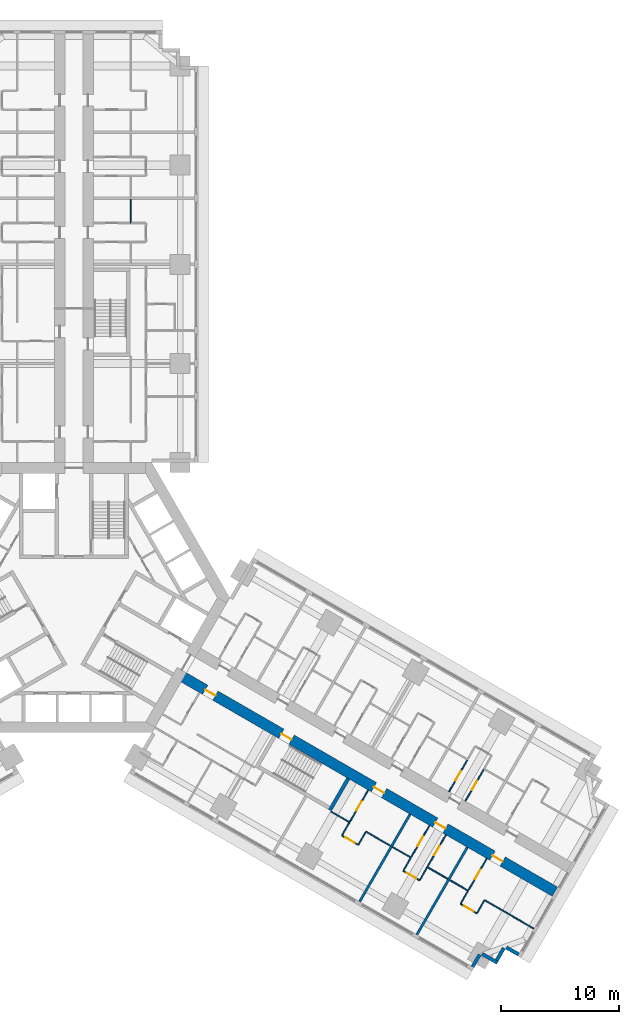
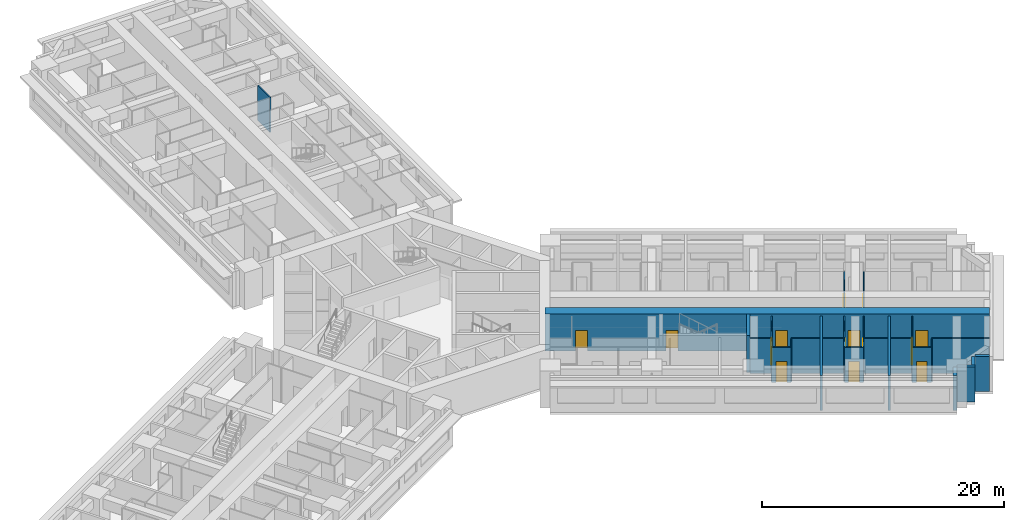
# One storey, part 11 of 16: 30 walls, 14 doors, 14 openings.
"""IFC4 building model written with IfcOpenShell, lengths in metres."""

from ifc_helpers import new_model, si_unit, direction, frame, frame_2d, origin, place, context, subcontext, project, spatial, rectangle, extrude, material, layer, layer_set, type_object, element, fill, save


model = new_model("IFC4")

# Units and contexts
model_context = context("Model", 3, precision=1e-05, world=origin(), true_north=direction((0.0, 1.0)))
body_context = subcontext(model_context, "Body", "Model", "MODEL_VIEW")
ifc_project = project(units=[si_unit("LENGTHUNIT", "METRE"), si_unit("AREAUNIT", "SQUARE_METRE"), si_unit("VOLUMEUNIT", "CUBIC_METRE"), si_unit("PLANEANGLEUNIT", "RADIAN"), si_unit("MASSUNIT", "GRAM", prefix="KILO")], contexts=[model_context])

# Site, building, storey
site_placement = place(None, origin())
site = spatial("IfcSite", under=ifc_project, at=site_placement, CompositionType="ELEMENT")
building_placement = place(site_placement, origin())
building = spatial("IfcBuilding", under=site, at=building_placement, Name="Impinga Residences", CompositionType="ELEMENT")
storey_placement = place(building_placement, frame((0.0, 0.0, 41.0)))
storey = spatial("IfcBuildingStorey", under=building, at=storey_placement, Name="L09", CompositionType="ELEMENT", Elevation=41.0)

# Wall, openings, doors
ifc_material_1 = material(Name="Concrete C70/85", Category="concrete")
ifc_layer_1 = layer(ifc_material_1, 0.89990234375)
ifc_layer_set_1 = layer_set([ifc_layer_1], Name="Concrete C70/85")
wall_type_1 = type_object("IfcWallType", Name="BW1 corridor buttress wall, L05 to L22 900", PredefinedType="SHEAR", material=ifc_layer_set_1)
wall_1_placement = place(storey_placement, frame((8.910400390625, -6.530029296875, 0.0), z_axis=(0.0, 0.0, 1.0), x_axis=(0.866025284237, -0.500000207062, 0.0)))
wall_1 = element("IfcWall", 1, at=wall_1_placement, inside=storey, type_object=wall_type_1, Name="Corridor wall BW1 ED L09", PredefinedType="SHEAR", context=body_context, shape_type="SweptSolid", body=[
    extrude(rectangle(XDim=36.75, YDim=0.89990234375, at=frame_2d((18.375, 0.0))), origin(), (0.0, 0.0, 1.0), 3.75),
])
opening_1_placement = place(wall_1_placement, frame((10.0, 0.0, 0.0)))
opening_1 = element("IfcOpeningElement", 2, at=opening_1_placement, cuts=wall_1, Name="Opening D5", PredefinedType="OPENING", context=body_context, shape_type="SweptSolid", body=[
    extrude(rectangle(XDim=1.0, YDim=2.10009765625, at=frame_2d((0.5, 1.050048828125))), frame((0.0, 0.4599609375, 0.0), z_axis=(0.0, -1.0, 0.0), x_axis=(1.0, 0.0, 0.0)), (0.0, 0.0, 1.0), 0.919921875),
])
opening_2_placement = place(wall_1_placement, frame((2.550048828125, 0.0, 0.0)))
opening_2 = element("IfcOpeningElement", 3, at=opening_2_placement, cuts=wall_1, Name="Opening D1", PredefinedType="OPENING", context=body_context, shape_type="SweptSolid", body=[
    extrude(rectangle(XDim=1.0, YDim=2.10009765625, at=frame_2d((0.5, 1.050048828125))), frame((0.0, 0.4599609375, 0.0), z_axis=(0.0, -1.0, 0.0), x_axis=(1.0, 0.0, 0.0)), (0.0, 0.0, 1.0), 0.919921875),
])
opening_3_placement = place(wall_1_placement, frame((19.050048828125, 0.0, 0.0)))
opening_3 = element("IfcOpeningElement", 4, at=opening_3_placement, cuts=wall_1, Name="Opening D1", PredefinedType="OPENING", context=body_context, shape_type="SweptSolid", body=[
    extrude(rectangle(XDim=1.0, YDim=2.10009765625, at=frame_2d((0.5, 1.050048828125))), frame((0.0, 0.4599609375, 0.0), z_axis=(0.0, -1.0, 0.0), x_axis=(1.0, 0.0, 0.0)), (0.0, 0.0, 1.0), 0.919921875),
])
opening_4_placement = place(wall_1_placement, frame((25.050048828125, 0.0, 0.0)))
opening_4 = element("IfcOpeningElement", 5, at=opening_4_placement, cuts=wall_1, Name="Opening D1", PredefinedType="OPENING", context=body_context, shape_type="SweptSolid", body=[
    extrude(rectangle(XDim=1.0, YDim=2.10009765625, at=frame_2d((0.5, 1.050048828125))), frame((0.0, 0.4599609375, 0.0), z_axis=(0.0, -1.0, 0.0), x_axis=(1.0, 0.0, 0.0)), (0.0, 0.0, 1.0), 0.919921875),
])
opening_5_placement = place(wall_1_placement, frame((30.64990234375, 0.0, 0.0)))
opening_5 = element("IfcOpeningElement", 6, at=opening_5_placement, cuts=wall_1, Name="Opening D1", PredefinedType="OPENING", context=body_context, shape_type="SweptSolid", body=[
    extrude(rectangle(XDim=1.0, YDim=2.10009765625, at=frame_2d((0.5, 1.050048828125))), frame((0.0, 0.4599609375, 0.0), z_axis=(0.0, -1.0, 0.0), x_axis=(1.0, 0.0, 0.0)), (0.0, 0.0, 1.0), 0.919921875),
])
ifc_material_2 = material(Name="Timber door set", Category="wood")
door_type_1 = type_object("IfcDoorType", Name="D1 apartment entrance door 1000x2100", OperationType="SINGLE_SWING_LEFT", PredefinedType="DOOR", material=ifc_material_2)
door_1_placement = place(opening_2_placement, origin())
door_1 = element("IfcDoor", 7, at=door_1_placement, inside=storey, type_object=door_type_1, Name="Apartment L09-EF1 entrance", OperationType="SINGLE_SWING_LEFT", OverallHeight=2.10009765625, OverallWidth=1.0, PredefinedType="DOOR", context=body_context, shape_type="SweptSolid", body=[
    extrude(rectangle(XDim=1.0, YDim=2.10009765625, at=frame_2d((0.5, 1.050048828125))), frame((0.0, 0.02490234375, 0.0), z_axis=(0.0, -1.0, 0.0), x_axis=(1.0, 0.0, 0.0)), (0.0, 0.0, 1.0), 0.050048828125),
])
fill(opening_2, door_1)
door_2_placement = place(opening_3_placement, origin())
door_2 = element("IfcDoor", 8, at=door_2_placement, inside=storey, type_object=door_type_1, Name="Apartment L09-EF2 entrance", OperationType="SINGLE_SWING_RIGHT", OverallHeight=2.10009765625, OverallWidth=1.0, PredefinedType="DOOR", context=body_context, shape_type="SweptSolid", body=[
    extrude(rectangle(XDim=1.0, YDim=2.10009765625, at=frame_2d((0.5, 1.050048828125))), frame((0.0, 0.02490234375, 0.0), z_axis=(0.0, -1.0, 0.0), x_axis=(1.0, 0.0, 0.0)), (0.0, 0.0, 1.0), 0.050048828125),
])
fill(opening_3, door_2)
door_3_placement = place(opening_4_placement, origin())
door_3 = element("IfcDoor", 9, at=door_3_placement, inside=storey, type_object=door_type_1, Name="Apartment L09-EF3 entrance", OperationType="SINGLE_SWING_RIGHT", OverallHeight=2.10009765625, OverallWidth=1.0, PredefinedType="DOOR", context=body_context, shape_type="SweptSolid", body=[
    extrude(rectangle(XDim=1.0, YDim=2.10009765625, at=frame_2d((0.5, 1.050048828125))), frame((0.0, 0.02490234375, 0.0), z_axis=(0.0, -1.0, 0.0), x_axis=(1.0, 0.0, 0.0)), (0.0, 0.0, 1.0), 0.050048828125),
])
fill(opening_4, door_3)
door_4_placement = place(opening_5_placement, origin())
door_4 = element("IfcDoor", 10, at=door_4_placement, inside=storey, type_object=door_type_1, Name="Apartment L09-EF4 entrance", OperationType="SINGLE_SWING_RIGHT", OverallHeight=2.10009765625, OverallWidth=1.0, PredefinedType="DOOR", context=body_context, shape_type="SweptSolid", body=[
    extrude(rectangle(XDim=1.0, YDim=2.10009765625, at=frame_2d((0.5, 1.050048828125))), frame((0.0, 0.02490234375, 0.0), z_axis=(0.0, -1.0, 0.0), x_axis=(1.0, 0.0, 0.0)), (0.0, 0.0, 1.0), 0.050048828125),
])
fill(opening_5, door_4)
door_type_2 = type_object("IfcDoorType", Name="D5 stair door 1000x2100", OperationType="SINGLE_SWING_LEFT", PredefinedType="DOOR", material=ifc_material_2)
door_5_placement = place(opening_1_placement, origin())
door_5 = element("IfcDoor", 11, at=door_5_placement, inside=storey, type_object=door_type_2, Name="Wing stair door E", OperationType="SINGLE_SWING_LEFT", OverallHeight=2.10009765625, OverallWidth=1.0, PredefinedType="DOOR", context=body_context, shape_type="SweptSolid", body=[
    extrude(rectangle(XDim=1.0, YDim=2.10009765625, at=frame_2d((0.5, 1.050048828125))), frame((0.0, 0.02490234375, 0.0), z_axis=(0.0, -1.0, 0.0), x_axis=(1.0, 0.0, 0.0)), (0.0, 0.0, 1.0), 0.050048828125),
])
fill(opening_1, door_5)

# Walls
ifc_material_3 = material(Name="Terracotta rainscreen on blockwork", Category="masonry")
ifc_layer_2 = layer(ifc_material_3, 0.300048828125)
ifc_layer_set_2 = layer_set([ifc_layer_2], Name="EW1 external wall, terracotta rainscreen on blockwork 300")
wall_type_2 = type_object("IfcWallType", Name="EW1 external wall, terracotta rainscreen on blockwork 300", PredefinedType="SOLIDWALL", material=ifc_layer_set_2)
wall_2_placement = place(storey_placement, frame((37.66162109375, -30.23095703125, 0.0), z_axis=(0.0, 0.0, 1.0), x_axis=(-0.866059708757, 0.499940577336, 0.0)))
element("IfcWall", 12, at=wall_2_placement, inside=storey, type_object=wall_type_2, Name="External wall EW1 L09", PredefinedType="SOLIDWALL", context=body_context, shape_type="SweptSolid", body=[
    extrude(rectangle(XDim=1.195068359375, YDim=0.300048828125, at=frame_2d((0.59765625, 0.0))), origin(), (0.0, 0.0, 1.0), 3.530029296875),
])
wall_3_placement = place(storey_placement, frame((36.41748046875, -29.68603515625, 0.0), z_axis=(0.0, 0.0, 1.0), x_axis=(-0.499969057507, -0.866043267704, 0.0)))
element("IfcWall", 13, at=wall_3_placement, inside=storey, type_object=wall_type_2, Name="External wall EW1 L09", PredefinedType="SOLIDWALL", context=body_context, shape_type="SweptSolid", body=[
    extrude(rectangle(XDim=1.19970703125, YDim=0.300048828125, at=frame_2d((0.599853515625, 0.0))), origin(), (0.0, 0.0, 1.0), 3.530029296875),
])
wall_4_placement = place(storey_placement, frame((35.87255859375, -30.93017578125, 0.0), z_axis=(0.0, 0.0, 1.0), x_axis=(-0.866031096941, 0.499990139034, 0.0)))
element("IfcWall", 14, at=wall_4_placement, inside=storey, type_object=wall_type_2, Name="External wall EW1 L09", PredefinedType="SOLIDWALL", context=body_context, shape_type="SweptSolid", body=[
    extrude(rectangle(XDim=1.5, YDim=0.300048828125, at=frame_2d((0.75, 0.0))), origin(), (0.0, 0.0, 1.0), 3.530029296875),
])
wall_5_placement = place(storey_placement, frame((34.365966796875, -30.2392578125, 0.0), z_axis=(0.0, 0.0, 1.0), x_axis=(-0.499940577336, -0.866059708757, 0.0)))
element("IfcWall", 15, at=wall_5_placement, inside=storey, type_object=wall_type_2, Name="External wall EW1 L09", PredefinedType="SOLIDWALL", context=body_context, shape_type="SweptSolid", body=[
    extrude(rectangle(XDim=1.195068359375, YDim=0.300048828125, at=frame_2d((0.59765625, 0.0))), origin(), (0.0, 0.0, 1.0), 3.530029296875),
])
ifc_material_4 = material(Name="Gypsum board on steel studs", Category="steel")
ifc_layer_3 = layer(ifc_material_4, 0.10009765625)
ifc_layer_set_3 = layer_set([ifc_layer_3], Name="Gypsum board on steel studs")
wall_type_3 = type_object("IfcWallType", Name="IP1 partition 100", PredefinedType="PARTITIONING", material=ifc_layer_set_3)
wall_6_placement = place(storey_placement, frame((4.800048828125, 31.7314453125, 0.0), z_axis=(0.0, 0.0, 1.0), x_axis=(0.0, 1.0, 0.0)))
element("IfcWall", 16, at=wall_6_placement, inside=storey, type_object=wall_type_3, Name="Partition L09-NF2:DIV1", PredefinedType="PARTITIONING", context=body_context, shape_type="SweptSolid", body=[
    extrude(rectangle(XDim=2.0, YDim=0.10009765625, at=frame_2d((1.0, 0.0))), origin(), (0.0, 0.0, 1.0), 3.530029296875),
])

# Wall, opening, door
wall_7_placement = place(storey_placement, frame((31.76953125, -16.436767578125, 0.0), z_axis=(0.0, 0.0, 1.0), x_axis=(0.499967891604, 0.866043940782, 0.0)))
wall_7 = element("IfcWall", 17, at=wall_7_placement, inside=storey, type_object=wall_type_3, Name="Partition L09-EA5:IB1", PredefinedType="PARTITIONING", context=body_context, shape_type="SweptSolid", body=[
    extrude(rectangle(XDim=3.099853515625, YDim=0.10009765625, at=frame_2d((1.5498046875, 0.0))), origin(), (0.0, 0.0, 1.0), 3.530029296875),
])
opening_6_placement = place(wall_7_placement, frame((1.10009765625, 0.0, 0.0)))
opening_6 = element("IfcOpeningElement", 18, at=opening_6_placement, cuts=wall_7, Name="Opening D2", PredefinedType="OPENING", context=body_context, shape_type="SweptSolid", body=[
    extrude(rectangle(XDim=0.89990234375, YDim=2.10009765625, at=frame_2d((0.449951171875, 1.050048828125))), frame((0.0, 0.06005859375, 0.0), z_axis=(0.0, -1.0, 0.0), x_axis=(1.0, 0.0, 0.0)), (0.0, 0.0, 1.0), 0.1201171875),
])
door_type_3 = type_object("IfcDoorType", Name="D2 internal door 900x2100", OperationType="SINGLE_SWING_LEFT", PredefinedType="DOOR", material=ifc_material_2)
door_6_placement = place(opening_6_placement, origin())
door_6 = element("IfcDoor", 19, at=door_6_placement, inside=storey, type_object=door_type_3, Name="Apartment L09-EA5 bathroom door", OperationType="SINGLE_SWING_LEFT", OverallHeight=2.10009765625, OverallWidth=0.89990234375, PredefinedType="DOOR", context=body_context, shape_type="SweptSolid", body=[
    extrude(rectangle(XDim=0.89990234375, YDim=2.10009765625, at=frame_2d((0.449951171875, 1.050048828125))), frame((0.0, 0.02490234375, 0.0), z_axis=(0.0, -1.0, 0.0), x_axis=(1.0, 0.0, 0.0)), (0.0, 0.0, 1.0), 0.050048828125),
])
fill(opening_6, door_6)

wall_8_placement = place(storey_placement, frame((33.155029296875, -17.23681640625, 0.0), z_axis=(0.0, 0.0, 1.0), x_axis=(0.500026960575, 0.86600983753, 0.0)))
wall_8 = element("IfcWall", 20, at=wall_8_placement, inside=storey, type_object=wall_type_3, Name="Partition L09-EA5:IB2", PredefinedType="PARTITIONING", context=body_context, shape_type="SweptSolid", body=[
    extrude(rectangle(XDim=3.099853515625, YDim=0.10009765625, at=frame_2d((1.5498046875, 0.0))), origin(), (0.0, 0.0, 1.0), 3.530029296875),
])
opening_7_placement = place(wall_8_placement, frame((1.10009765625, 0.0, 0.0)))
opening_7 = element("IfcOpeningElement", 21, at=opening_7_placement, cuts=wall_8, Name="Opening D2", PredefinedType="OPENING", context=body_context, shape_type="SweptSolid", body=[
    extrude(rectangle(XDim=0.89990234375, YDim=2.10009765625, at=frame_2d((0.449951171875, 1.050048828125))), frame((0.0, 0.06005859375, 0.0), z_axis=(0.0, -1.0, 0.0), x_axis=(1.0, 0.0, 0.0)), (0.0, 0.0, 1.0), 0.1201171875),
])
door_7_placement = place(opening_7_placement, origin())
door_7 = element("IfcDoor", 22, at=door_7_placement, inside=storey, type_object=door_type_3, Name="Apartment L09-EA5 WC door", OperationType="SINGLE_SWING_LEFT", OverallHeight=2.10009765625, OverallWidth=0.89990234375, PredefinedType="DOOR", context=body_context, shape_type="SweptSolid", body=[
    extrude(rectangle(XDim=0.89990234375, YDim=2.10009765625, at=frame_2d((0.449951171875, 1.050048828125))), frame((0.0, 0.02490234375, 0.0), z_axis=(0.0, -1.0, 0.0), x_axis=(1.0, 0.0, 0.0)), (0.0, 0.0, 1.0), 0.050048828125),
])
fill(opening_7, door_7)

# Walls
wall_9_placement = place(storey_placement, frame((21.789306640625, -18.122802734375, 0.0), z_axis=(0.0, 0.0, 1.0), x_axis=(0.866047807691, -0.499961193289, 0.0)))
element("IfcWall", 23, at=wall_9_placement, inside=storey, type_object=wall_type_3, Name="Partition L09-EF2:DIV0", PredefinedType="PARTITIONING", context=body_context, shape_type="SweptSolid", body=[
    extrude(rectangle(XDim=1.800048828125, YDim=0.10009765625, at=frame_2d((0.89990234375, 0.0))), origin(), (0.0, 0.0, 1.0), 3.530029296875),
])
wall_10_placement = place(storey_placement, frame((24.73388671875, -19.82275390625, 0.0), z_axis=(0.0, 0.0, 1.0), x_axis=(0.866024647952, -0.500001309137, 0.0)))
element("IfcWall", 24, at=wall_10_placement, inside=storey, type_object=wall_type_3, Name="Partition L09-EF2:DIV1", PredefinedType="PARTITIONING", context=body_context, shape_type="SweptSolid", body=[
    extrude(rectangle(XDim=2.39990234375, YDim=0.10009765625, at=frame_2d((1.199951171875, 0.0))), origin(), (0.0, 0.0, 1.0), 3.530029296875),
])

# Wall, opening, door
wall_11_placement = place(storey_placement, frame((22.6982421875, -20.1484375, 0.0), z_axis=(0.0, 0.0, 1.0), x_axis=(0.866028054938, -0.499995408039, 0.0)))
wall_11 = element("IfcWall", 25, at=wall_11_placement, inside=storey, type_object=wall_type_3, Name="Partition L09-EF2:STRIP", PredefinedType="PARTITIONING", context=body_context, shape_type="SweptSolid", body=[
    extrude(rectangle(XDim=1.60009765625, YDim=0.10009765625, at=frame_2d((0.800048828125, 0.0))), origin(), (0.0, 0.0, 1.0), 3.530029296875),
])
opening_8_placement = place(wall_11_placement, frame((0.35009765625, 0.0, 0.0)))
opening_8 = element("IfcOpeningElement", 26, at=opening_8_placement, cuts=wall_11, Name="Opening D2", PredefinedType="OPENING", context=body_context, shape_type="SweptSolid", body=[
    extrude(rectangle(XDim=0.89990234375, YDim=2.10009765625, at=frame_2d((0.449951171875, 1.050048828125))), frame((0.0, 0.06005859375, 0.0), z_axis=(0.0, -1.0, 0.0), x_axis=(1.0, 0.0, 0.0)), (0.0, 0.0, 1.0), 0.1201171875),
])
door_8_placement = place(opening_8_placement, origin())
door_8 = element("IfcDoor", 27, at=door_8_placement, inside=storey, type_object=door_type_3, Name="Apartment L09-EF2 room door", OperationType="SINGLE_SWING_LEFT", OverallHeight=2.10009765625, OverallWidth=0.89990234375, PredefinedType="DOOR", context=body_context, shape_type="SweptSolid", body=[
    extrude(rectangle(XDim=0.89990234375, YDim=2.10009765625, at=frame_2d((0.449951171875, 1.050048828125))), frame((0.0, 0.02490234375, 0.0), z_axis=(0.0, -1.0, 0.0), x_axis=(1.0, 0.0, 0.0)), (0.0, 0.0, 1.0), 0.050048828125),
])
fill(opening_8, door_8)

# Walls
for number, where, z_axis, x_axis, name in (
    (28, (23.3232421875, -19.06591796875, 0.0), (0.0, 0.0, 1.0), (-0.500033551112, -0.866006032174, 0.0), "Partition L09-EF2:SE0"),
    (29, (24.708984375, -19.865966796875, 0.0), (0.0, 0.0, 1.0), (-0.500033551112, -0.866006032174, 0.0), "Partition L09-EF2:SE1"),
):
    element("IfcWall", number, at=place(storey_placement, frame(where, z_axis=z_axis, x_axis=x_axis)), inside=storey, type_object=wall_type_3, Name=name, PredefinedType="PARTITIONING", context=body_context, shape_type="SweptSolid", body=[
        extrude(rectangle(XDim=1.2001953125, YDim=0.10009765625, at=frame_2d((0.60009765625, 0.0))), origin(), (0.0, 0.0, 1.0), 3.530029296875),
    ])

# Wall, opening, door
wall_12_placement = place(storey_placement, frame((24.92333984375, -16.294677734375, 0.0), z_axis=(0.0, 0.0, 1.0), x_axis=(-0.49999285859, -0.86602952684, 0.0)))
wall_12 = element("IfcWall", 30, at=wall_12_placement, inside=storey, type_object=wall_type_3, Name="Partition L09-EF2:IB1", PredefinedType="PARTITIONING", context=body_context, shape_type="SweptSolid", body=[
    extrude(rectangle(XDim=3.10009765625, YDim=0.10009765625, at=frame_2d((1.550048828125, 0.0))), origin(), (0.0, 0.0, 1.0), 3.530029296875),
])
opening_9_placement = place(wall_12_placement, frame((1.10009765625, 0.0, 0.0)))
opening_9 = element("IfcOpeningElement", 31, at=opening_9_placement, cuts=wall_12, Name="Opening D2", PredefinedType="OPENING", context=body_context, shape_type="SweptSolid", body=[
    extrude(rectangle(XDim=0.89990234375, YDim=2.10009765625, at=frame_2d((0.449951171875, 1.050048828125))), frame((0.0, 0.06005859375, 0.0), z_axis=(0.0, -1.0, 0.0), x_axis=(1.0, 0.0, 0.0)), (0.0, 0.0, 1.0), 0.1201171875),
])
door_9_placement = place(opening_9_placement, origin())
door_9 = element("IfcDoor", 32, at=door_9_placement, inside=storey, type_object=door_type_3, Name="Apartment L09-EF2 bathroom door", OperationType="SINGLE_SWING_LEFT", OverallHeight=2.10009765625, OverallWidth=0.89990234375, PredefinedType="DOOR", context=body_context, shape_type="SweptSolid", body=[
    extrude(rectangle(XDim=0.89990234375, YDim=2.10009765625, at=frame_2d((0.449951171875, 1.050048828125))), frame((0.0, 0.02490234375, 0.0), z_axis=(0.0, -1.0, 0.0), x_axis=(1.0, 0.0, 0.0)), (0.0, 0.0, 1.0), 0.050048828125),
])
fill(opening_9, door_9)

# Walls
wall_13_placement = place(storey_placement, frame((26.985595703125, -21.122802734375, 0.0), z_axis=(0.0, 0.0, 1.0), x_axis=(0.866047807691, -0.499961193289, 0.0)))
element("IfcWall", 33, at=wall_13_placement, inside=storey, type_object=wall_type_3, Name="Partition L09-EF3:DIV0", PredefinedType="PARTITIONING", context=body_context, shape_type="SweptSolid", body=[
    extrude(rectangle(XDim=1.800048828125, YDim=0.10009765625, at=frame_2d((0.89990234375, 0.0))), origin(), (0.0, 0.0, 1.0), 3.530029296875),
])
wall_14_placement = place(storey_placement, frame((29.93017578125, -22.82275390625, 0.0), z_axis=(0.0, 0.0, 1.0), x_axis=(0.866010750942, -0.50002537861, 0.0)))
element("IfcWall", 34, at=wall_14_placement, inside=storey, type_object=wall_type_3, Name="Partition L09-EF3:DIV1", PredefinedType="PARTITIONING", context=body_context, shape_type="SweptSolid", body=[
    extrude(rectangle(XDim=2.0, YDim=0.10009765625, at=frame_2d((1.0, 0.0))), origin(), (0.0, 0.0, 1.0), 3.530029296875),
])

# Wall, opening, door
wall_15_placement = place(storey_placement, frame((27.89453125, -23.1484375, 0.0), z_axis=(0.0, 0.0, 1.0), x_axis=(0.865989903783, -0.500061482766, 0.0)))
wall_15 = element("IfcWall", 35, at=wall_15_placement, inside=storey, type_object=wall_type_3, Name="Partition L09-EF3:STRIP", PredefinedType="PARTITIONING", context=body_context, shape_type="SweptSolid", body=[
    extrude(rectangle(XDim=1.599853515625, YDim=0.10009765625, at=frame_2d((0.7998046875, 0.0))), origin(), (0.0, 0.0, 1.0), 3.530029296875),
])
opening_10_placement = place(wall_15_placement, frame((0.35009765625, 0.0, 0.0)))
opening_10 = element("IfcOpeningElement", 36, at=opening_10_placement, cuts=wall_15, Name="Opening D2", PredefinedType="OPENING", context=body_context, shape_type="SweptSolid", body=[
    extrude(rectangle(XDim=0.89990234375, YDim=2.10009765625, at=frame_2d((0.449951171875, 1.050048828125))), frame((0.0, 0.06005859375, 0.0), z_axis=(0.0, -1.0, 0.0), x_axis=(1.0, 0.0, 0.0)), (0.0, 0.0, 1.0), 0.1201171875),
])
door_10_placement = place(opening_10_placement, origin())
door_10 = element("IfcDoor", 37, at=door_10_placement, inside=storey, type_object=door_type_3, Name="Apartment L09-EF3 room door", OperationType="SINGLE_SWING_LEFT", OverallHeight=2.10009765625, OverallWidth=0.89990234375, PredefinedType="DOOR", context=body_context, shape_type="SweptSolid", body=[
    extrude(rectangle(XDim=0.89990234375, YDim=2.10009765625, at=frame_2d((0.449951171875, 1.050048828125))), frame((0.0, 0.02490234375, 0.0), z_axis=(0.0, -1.0, 0.0), x_axis=(1.0, 0.0, 0.0)), (0.0, 0.0, 1.0), 0.050048828125),
])
fill(opening_10, door_10)

# Walls
wall_16_placement = place(storey_placement, frame((28.51953125, -22.06591796875, 0.0), z_axis=(0.0, 0.0, 1.0), x_axis=(-0.500033551112, -0.866006032174, 0.0)))
element("IfcWall", 38, at=wall_16_placement, inside=storey, type_object=wall_type_3, Name="Partition L09-EF3:SE0", PredefinedType="PARTITIONING", context=body_context, shape_type="SweptSolid", body=[
    extrude(rectangle(XDim=1.2001953125, YDim=0.10009765625, at=frame_2d((0.60009765625, 0.0))), origin(), (0.0, 0.0, 1.0), 3.530029296875),
])
wall_17_placement = place(storey_placement, frame((29.905029296875, -22.865966796875, 0.0), z_axis=(0.0, 0.0, 1.0), x_axis=(-0.499880961361, -0.866094119867, 0.0)))
element("IfcWall", 39, at=wall_17_placement, inside=storey, type_object=wall_type_3, Name="Partition L09-EF3:SE1", PredefinedType="PARTITIONING", context=body_context, shape_type="SweptSolid", body=[
    extrude(rectangle(XDim=1.199951171875, YDim=0.10009765625, at=frame_2d((0.60009765625, 0.0))), origin(), (0.0, 0.0, 1.0), 3.530029296875),
])

# Wall, opening, door
wall_18_placement = place(storey_placement, frame((30.119384765625, -19.294677734375, 0.0), z_axis=(0.0, 0.0, 1.0), x_axis=(-0.49999285859, -0.86602952684, 0.0)))
wall_18 = element("IfcWall", 40, at=wall_18_placement, inside=storey, type_object=wall_type_3, Name="Partition L09-EF3:IB1", PredefinedType="PARTITIONING", context=body_context, shape_type="SweptSolid", body=[
    extrude(rectangle(XDim=3.10009765625, YDim=0.10009765625, at=frame_2d((1.550048828125, 0.0))), origin(), (0.0, 0.0, 1.0), 3.530029296875),
])
opening_11_placement = place(wall_18_placement, frame((1.10009765625, 0.0, 0.0)))
opening_11 = element("IfcOpeningElement", 41, at=opening_11_placement, cuts=wall_18, Name="Opening D2", PredefinedType="OPENING", context=body_context, shape_type="SweptSolid", body=[
    extrude(rectangle(XDim=0.89990234375, YDim=2.10009765625, at=frame_2d((0.449951171875, 1.050048828125))), frame((0.0, 0.06005859375, 0.0), z_axis=(0.0, -1.0, 0.0), x_axis=(1.0, 0.0, 0.0)), (0.0, 0.0, 1.0), 0.1201171875),
])
door_11_placement = place(opening_11_placement, origin())
door_11 = element("IfcDoor", 42, at=door_11_placement, inside=storey, type_object=door_type_3, Name="Apartment L09-EF3 bathroom door", OperationType="SINGLE_SWING_LEFT", OverallHeight=2.10009765625, OverallWidth=0.89990234375, PredefinedType="DOOR", context=body_context, shape_type="SweptSolid", body=[
    extrude(rectangle(XDim=0.89990234375, YDim=2.10009765625, at=frame_2d((0.449951171875, 1.050048828125))), frame((0.0, 0.02490234375, 0.0), z_axis=(0.0, -1.0, 0.0), x_axis=(1.0, 0.0, 0.0)), (0.0, 0.0, 1.0), 0.050048828125),
])
fill(opening_11, door_11)

wall_19_placement = place(storey_placement, frame((31.505126953125, -20.0947265625, 0.0), z_axis=(0.0, 0.0, 1.0), x_axis=(-0.500026960575, -0.86600983753, 0.0)))
wall_19 = element("IfcWall", 43, at=wall_19_placement, inside=storey, type_object=wall_type_3, Name="Partition L09-EF3:IB2", PredefinedType="PARTITIONING", context=body_context, shape_type="SweptSolid", body=[
    extrude(rectangle(XDim=3.099853515625, YDim=0.10009765625, at=frame_2d((1.5498046875, 0.0))), origin(), (0.0, 0.0, 1.0), 3.530029296875),
])
opening_12_placement = place(wall_19_placement, frame((1.10009765625, 0.0, 0.0)))
opening_12 = element("IfcOpeningElement", 44, at=opening_12_placement, cuts=wall_19, Name="Opening D2", PredefinedType="OPENING", context=body_context, shape_type="SweptSolid", body=[
    extrude(rectangle(XDim=0.89990234375, YDim=2.10009765625, at=frame_2d((0.449951171875, 1.050048828125))), frame((0.0, 0.06005859375, 0.0), z_axis=(0.0, -1.0, 0.0), x_axis=(1.0, 0.0, 0.0)), (0.0, 0.0, 1.0), 0.1201171875),
])
door_12_placement = place(opening_12_placement, origin())
door_12 = element("IfcDoor", 45, at=door_12_placement, inside=storey, type_object=door_type_3, Name="Apartment L09-EF3 WC door", OperationType="SINGLE_SWING_LEFT", OverallHeight=2.10009765625, OverallWidth=0.89990234375, PredefinedType="DOOR", context=body_context, shape_type="SweptSolid", body=[
    extrude(rectangle(XDim=0.89990234375, YDim=2.10009765625, at=frame_2d((0.449951171875, 1.050048828125))), frame((0.0, 0.02490234375, 0.0), z_axis=(0.0, -1.0, 0.0), x_axis=(1.0, 0.0, 0.0)), (0.0, 0.0, 1.0), 0.050048828125),
])
fill(opening_12, door_12)

# Walls
wall_20_placement = place(storey_placement, frame((31.835205078125, -23.922607421875, 0.0), z_axis=(0.0, 0.0, 1.0), x_axis=(0.865989075817, -0.500062916607, 0.0)))
element("IfcWall", 46, at=wall_20_placement, inside=storey, type_object=wall_type_3, Name="Partition L09-EF4:DIV0", PredefinedType="PARTITIONING", context=body_context, shape_type="SweptSolid", body=[
    extrude(rectangle(XDim=1.800048828125, YDim=0.10009765625, at=frame_2d((0.89990234375, 0.0))), origin(), (0.0, 0.0, 1.0), 3.530029296875),
])
wall_21_placement = place(storey_placement, frame((34.77978515625, -25.622802734375, 0.0), z_axis=(0.0, 0.0, 1.0), x_axis=(0.866037363387, -0.499979284789, 0.0)))
element("IfcWall", 47, at=wall_21_placement, inside=storey, type_object=wall_type_3, Name="Partition L09-EF4:DIV1", PredefinedType="PARTITIONING", context=body_context, shape_type="SweptSolid", body=[
    extrude(rectangle(XDim=4.800048828125, YDim=0.10009765625, at=frame_2d((2.39990234375, 0.0))), origin(), (0.0, 0.0, 1.0), 3.530029296875),
])

# Wall, opening, door
wall_22_placement = place(storey_placement, frame((32.744140625, -25.948486328125, 0.0), z_axis=(0.0, 0.0, 1.0), x_axis=(0.866028054938, -0.499995408039, 0.0)))
wall_22 = element("IfcWall", 48, at=wall_22_placement, inside=storey, type_object=wall_type_3, Name="Partition L09-EF4:STRIP", PredefinedType="PARTITIONING", context=body_context, shape_type="SweptSolid", body=[
    extrude(rectangle(XDim=1.60009765625, YDim=0.10009765625, at=frame_2d((0.800048828125, 0.0))), origin(), (0.0, 0.0, 1.0), 3.530029296875),
])
opening_13_placement = place(wall_22_placement, frame((0.35009765625, 0.0, 0.0)))
opening_13 = element("IfcOpeningElement", 49, at=opening_13_placement, cuts=wall_22, Name="Opening D2", PredefinedType="OPENING", context=body_context, shape_type="SweptSolid", body=[
    extrude(rectangle(XDim=0.89990234375, YDim=2.10009765625, at=frame_2d((0.449951171875, 1.050048828125))), frame((0.0, 0.06005859375, 0.0), z_axis=(0.0, -1.0, 0.0), x_axis=(1.0, 0.0, 0.0)), (0.0, 0.0, 1.0), 0.1201171875),
])
door_13_placement = place(opening_13_placement, origin())
door_13 = element("IfcDoor", 50, at=door_13_placement, inside=storey, type_object=door_type_3, Name="Apartment L09-EF4 room door", OperationType="SINGLE_SWING_LEFT", OverallHeight=2.10009765625, OverallWidth=0.89990234375, PredefinedType="DOOR", context=body_context, shape_type="SweptSolid", body=[
    extrude(rectangle(XDim=0.89990234375, YDim=2.10009765625, at=frame_2d((0.449951171875, 1.050048828125))), frame((0.0, 0.02490234375, 0.0), z_axis=(0.0, -1.0, 0.0), x_axis=(1.0, 0.0, 0.0)), (0.0, 0.0, 1.0), 0.050048828125),
])
fill(opening_13, door_13)

# Walls
for number, where, z_axis, x_axis, name in (
    (51, (33.369140625, -24.865966796875, 0.0), (0.0, 0.0, 1.0), (-0.500033551112, -0.866006032174, 0.0), "Partition L09-EF4:SE0"),
    (52, (34.7548828125, -25.666015625, 0.0), (0.0, 0.0, 1.0), (-0.500033551112, -0.866006032174, 0.0), "Partition L09-EF4:SE1"),
):
    element("IfcWall", number, at=place(storey_placement, frame(where, z_axis=z_axis, x_axis=x_axis)), inside=storey, type_object=wall_type_3, Name=name, PredefinedType="PARTITIONING", context=body_context, shape_type="SweptSolid", body=[
        extrude(rectangle(XDim=1.2001953125, YDim=0.10009765625, at=frame_2d((0.60009765625, 0.0))), origin(), (0.0, 0.0, 1.0), 3.530029296875),
    ])

# Wall, opening, door
wall_23_placement = place(storey_placement, frame((34.96923828125, -22.0947265625, 0.0), z_axis=(0.0, 0.0, 1.0), x_axis=(-0.500026960575, -0.86600983753, 0.0)))
wall_23 = element("IfcWall", 53, at=wall_23_placement, inside=storey, type_object=wall_type_3, Name="Partition L09-EF4:IB1", PredefinedType="PARTITIONING", context=body_context, shape_type="SweptSolid", body=[
    extrude(rectangle(XDim=3.099853515625, YDim=0.10009765625, at=frame_2d((1.5498046875, 0.0))), origin(), (0.0, 0.0, 1.0), 3.530029296875),
])
opening_14_placement = place(wall_23_placement, frame((1.10009765625, 0.0, 0.0)))
opening_14 = element("IfcOpeningElement", 54, at=opening_14_placement, cuts=wall_23, Name="Opening D2", PredefinedType="OPENING", context=body_context, shape_type="SweptSolid", body=[
    extrude(rectangle(XDim=0.89990234375, YDim=2.10009765625, at=frame_2d((0.449951171875, 1.050048828125))), frame((0.0, 0.06005859375, 0.0), z_axis=(0.0, -1.0, 0.0), x_axis=(1.0, 0.0, 0.0)), (0.0, 0.0, 1.0), 0.1201171875),
])
door_14_placement = place(opening_14_placement, origin())
door_14 = element("IfcDoor", 55, at=door_14_placement, inside=storey, type_object=door_type_3, Name="Apartment L09-EF4 bathroom door", OperationType="SINGLE_SWING_LEFT", OverallHeight=2.10009765625, OverallWidth=0.89990234375, PredefinedType="DOOR", context=body_context, shape_type="SweptSolid", body=[
    extrude(rectangle(XDim=0.89990234375, YDim=2.10009765625, at=frame_2d((0.449951171875, 1.050048828125))), frame((0.0, 0.02490234375, 0.0), z_axis=(0.0, -1.0, 0.0), x_axis=(1.0, 0.0, 0.0)), (0.0, 0.0, 1.0), 0.050048828125),
])
fill(opening_14, door_14)

# Walls
ifc_material_5 = material(Name="Concrete blockwork", Category="masonry")
ifc_layer_4 = layer(ifc_material_5, 0.199951171875)
ifc_layer_set_4 = layer_set([ifc_layer_4], Name="PW1 party wall between apartments 200")
wall_type_4 = type_object("IfcWallType", Name="PW1 party wall between apartments 200", PredefinedType="SOLIDWALL", material=ifc_layer_set_4)
for number, where, z_axis, x_axis, name in (
    (56, (28.473876953125, -18.3447265625, 0.0), (0.0, 0.0, 1.0), (-0.499990227581, -0.86603104582, 0.0), "Party wall between apartments L09-EF2:PARTY"),
    (57, (33.32373046875, -21.144775390625, 0.0), (0.0, 0.0, 1.0), (-0.499990227581, -0.86603104582, 0.0), "Party wall between apartments L09-EF3:PARTY"),
):
    element("IfcWall", number, at=place(storey_placement, frame(where, z_axis=z_axis, x_axis=x_axis)), inside=storey, type_object=wall_type_4, Name=name, PredefinedType="SOLIDWALL", context=body_context, shape_type="SweptSolid", body=[
        extrude(rectangle(XDim=8.550048828125, YDim=0.199951171875, at=frame_2d((4.27490234375, 0.0))), origin(), (0.0, 0.0, 1.0), 3.530029296875),
    ])
ifc_material_6 = material(Name="Concrete C60/75", Category="concrete")
ifc_layer_5 = layer(ifc_material_6, 0.300048828125)
ifc_layer_set_5 = layer_set([ifc_layer_5], Name="Concrete C60/75")
wall_type_5 = type_object("IfcWallType", Name="SE1 wing stair enclosure wall 300", PredefinedType="SOLIDWALL", material=ifc_layer_set_5)
wall_24_placement = place(storey_placement, frame((23.234619140625, -15.31982421875, 0.0), z_axis=(0.0, 0.0, 1.0), x_axis=(-0.500026960575, -0.86600983753, 0.0)))
element("IfcWall", 58, at=wall_24_placement, inside=storey, type_object=wall_type_5, Name="Stair enclosure wall SE1 E END1 L09", PredefinedType="SOLIDWALL", context=body_context, shape_type="SweptSolid", body=[
    extrude(rectangle(XDim=3.099853515625, YDim=0.300048828125, at=frame_2d((1.5498046875, 0.0))), origin(), (0.0, 0.0, 1.0), 3.75),
])

save(model, "model.ifc")
